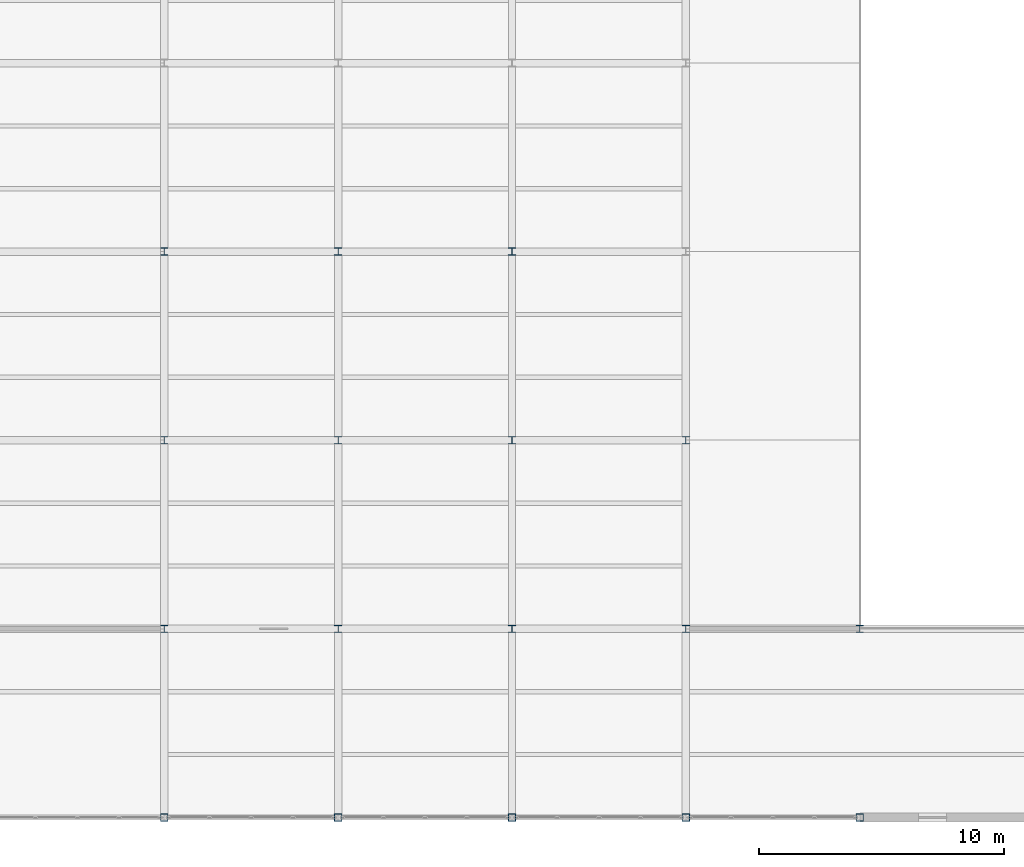
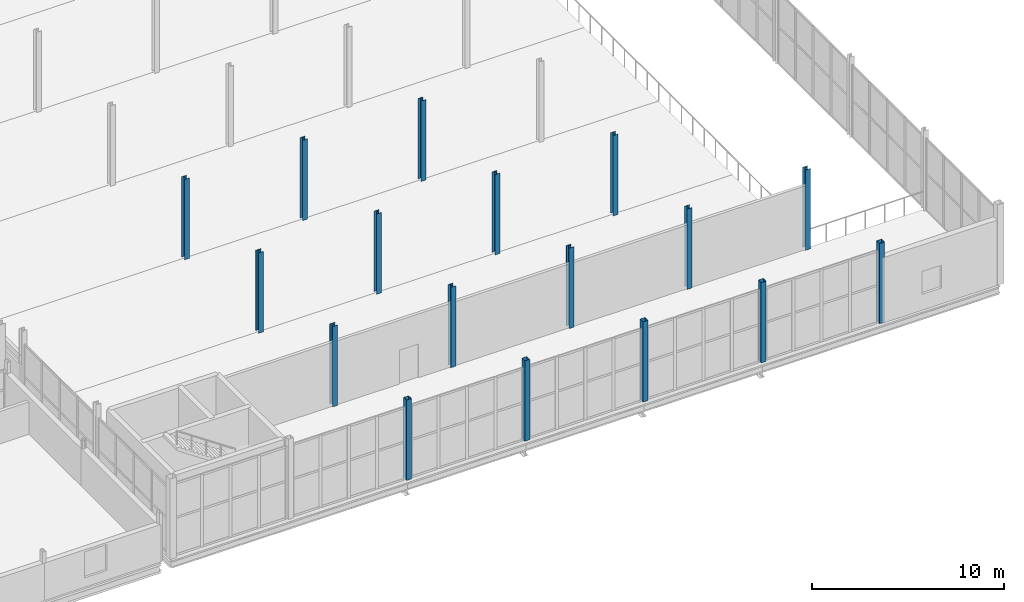
# One storey, part 19 of 218: 17 columns.
"""IFC4 building model written with IfcOpenShell, lengths in metres."""

import ifcopenshell
import ifcopenshell.guid

model = None  # the IFC model being written
_history = None  # IfcOwnerHistory: only IFC2X3 demands one
_inside = {}  # id of a spatial element -> (the spatial element, [elements in it])
_under = {}  # id of a project, library or spatial element -> (it, [spatial elements below it])
_declared = {}  # id of a project -> (the project, [libraries it declares])
_typed = {}  # id of a type object -> (the type object, [elements of that type])
_made_of = {}  # id of a material, layer set ... -> (it, [elements and type objects made of it])


def new_model(schema):
    """Start an empty IFC model of exactly this schema.

    Asked for "IFC4X3", IfcOpenShell would pick the latest addendum, in which some entities
    have other attributes; the version numbers below select the first issue.
    IFC2X3 requires an IfcOwnerHistory on every rooted entity: one is made here for all.
    """
    global model, _history
    if schema == "IFC4X3":
        model = ifcopenshell.file(schema_version=(4, 3, 0, 0))
    else:
        model = ifcopenshell.file(schema=schema)
    _inside.clear()
    _under.clear()
    _declared.clear()
    _typed.clear()
    _made_of.clear()
    _history = None
    if model.schema == "IFC2X3":
        org = make("IfcOrganization", Name="unknown")
        user = make(
            "IfcPersonAndOrganization",
            ThePerson=make("IfcPerson", FamilyName="unknown"),
            TheOrganization=org,
        )
        app = make(
            "IfcApplication",
            ApplicationDeveloper=org,
            Version="unknown",
            ApplicationFullName="unknown",
            ApplicationIdentifier="unknown",
        )
        _history = make(
            "IfcOwnerHistory",
            OwningUser=user,
            OwningApplication=app,
            ChangeAction="ADDED",
            CreationDate=0,
        )
    return model


def make(cls, **values):
    """One entity of the class cls with the attributes given. An attribute that is None is left unset."""
    return model.create_entity(
        cls, **{name: value for name, value in values.items() if value is not None}
    )


def rooted(cls, **values):
    """An entity with a GlobalId (a new one), such as an element, a storey or a relation."""
    return make(cls, GlobalId=ifcopenshell.guid.new(), OwnerHistory=_history, **values)


def si_unit(unit_type, name, prefix=None):
    """IfcSIUnit, for example si_unit("LENGTHUNIT", "METRE", prefix="MILLI")."""
    return make("IfcSIUnit", UnitType=unit_type, Prefix=prefix, Name=name)


def assignment(units):
    """IfcUnitAssignment: the units of a project."""
    return None if units is None else make("IfcUnitAssignment", Units=units)


def point(xyz):
    """IfcCartesianPoint."""
    return None if xyz is None else make("IfcCartesianPoint", Coordinates=xyz)


def direction(xyz):
    """IfcDirection."""
    return None if xyz is None else make("IfcDirection", DirectionRatios=xyz)


def frame(location, z_axis=None, x_axis=None):
    """IfcAxis2Placement3D, a coordinate frame: its origin and axes. An axis left out is left unset."""
    return make(
        "IfcAxis2Placement3D",
        Location=point(location),
        Axis=direction(z_axis),
        RefDirection=direction(x_axis),
    )


def frame_2d(location, x_axis=None):
    """IfcAxis2Placement2D, a coordinate frame in the plane: its origin and x axis."""
    return make(
        "IfcAxis2Placement2D", Location=point(location), RefDirection=direction(x_axis)
    )


def origin():
    """The frame at (0, 0, 0) with its axes left unset."""
    return frame((0.0, 0.0, 0.0))


def origin_2d():
    """The frame at (0, 0) in the plane with its x axis left unset."""
    return frame_2d((0.0, 0.0))


def place(relative_to, where):
    """IfcLocalPlacement: puts the frame where relative to a parent placement (None: the world)."""
    return make(
        "IfcLocalPlacement", PlacementRelTo=relative_to, RelativePlacement=where
    )


def context(
    kind, dimensions, precision=None, world=None, true_north=None, identifier=None
):
    """IfcGeometricRepresentationContext, for example the 3D "Model" context."""
    return make(
        "IfcGeometricRepresentationContext",
        ContextIdentifier=identifier,
        ContextType=kind,
        CoordinateSpaceDimension=dimensions,
        Precision=precision,
        WorldCoordinateSystem=world,
        TrueNorth=true_north,
    )


def subcontext(parent, identifier, kind, view, scale=None):
    """IfcGeometricRepresentationSubContext, for example "Body" below "Model"."""
    return make(
        "IfcGeometricRepresentationSubContext",
        ContextIdentifier=identifier,
        ContextType=kind,
        ParentContext=parent,
        TargetScale=scale,
        TargetView=view,
    )


def project(units=None, contexts=None):
    """IfcProject with its units and contexts."""
    return rooted(
        "IfcProject",
        Name="project",
        RepresentationContexts=contexts,
        UnitsInContext=assignment(units),
    )


def spatial(cls, under=None, at=None, **own):
    """A site, building, storey or space (cls), placed at a placement, below another one or the project."""
    s = rooted(cls, ObjectPlacement=at, **own)
    if under is not None:
        _under.setdefault(under.id(), (under, []))[1].append(s)
    return s


def profile(cls, at=None, kind="AREA", **sizes):
    """A parametric profile (cls). Its sizes go by their IFC names, for example OverallWidth=200.0."""
    return make(cls, ProfileType=kind, Position=at, **sizes)


def hollow_rectangle(**sizes):
    """IfcRectangleHollowProfileDef."""
    return profile("IfcRectangleHollowProfileDef", **sizes)


def i_section(**sizes):
    """IfcIShapeProfileDef."""
    return profile("IfcIShapeProfileDef", **sizes)


def extrude(swept, where, along, depth):
    """IfcExtrudedAreaSolid: the profile swept, set in the frame where, extruded along a direction by depth."""
    return make(
        "IfcExtrudedAreaSolid",
        SweptArea=swept,
        Position=where,
        ExtrudedDirection=direction(along),
        Depth=depth,
    )


def shape(context_of_items, identifier, shape_type, items):
    """IfcShapeRepresentation: the items that make up one representation, for example the "Body"."""
    return make(
        "IfcShapeRepresentation",
        ContextOfItems=context_of_items,
        RepresentationIdentifier=identifier,
        RepresentationType=shape_type,
        Items=items,
    )


def material(Name=None, Category=None):
    """IfcMaterial."""
    return make("IfcMaterial", Name=Name, Category=Category)


def material_profile(
    of_material, cross_section, Name=None, Category=None, Priority=None
):
    """IfcMaterialProfile: a cross section and its material."""
    return make(
        "IfcMaterialProfile",
        Name=Name,
        Material=of_material,
        Profile=cross_section,
        Priority=Priority,
        Category=Category,
    )


def profile_set(profiles, Name=None, composite=None):
    """IfcMaterialProfileSet."""
    return make(
        "IfcMaterialProfileSet",
        Name=Name,
        MaterialProfiles=profiles,
        CompositeProfile=composite,
    )


def made_of(thing, what):
    """Note that an element or type object is made of a material, layer set ...; save() writes the relation."""
    if what is not None:
        _made_of.setdefault(what.id(), (what, []))[1].append(thing)
    return thing


def type_object(cls, material=None, **own):
    """A type object (cls), such as IfcWallType, which elements share."""
    return made_of(rooted(cls, **own), material)


def element(
    cls,
    number,
    at=None,
    inside=None,
    cuts=None,
    type_object=None,
    material=None,
    context=None,
    identifier="Body",
    shape_type=None,
    held_by="IfcProductDefinitionShape",
    body=None,
    shapes=None,
    **own,
):
    """One element of the class cls, such as IfcWall. Its Tag is "e" and its number.

    at: its placement. inside: the storey or other place that contains it. cuts: it is an
    opening in that element (IfcRelVoidsElement). A single representation is given by context,
    identifier, shape_type and body (its items); several are given by shapes. held_by: the class
    of the entity that holds the representations. save() writes the other relations.
    """
    e = rooted(cls, Tag="e%d" % number, ObjectPlacement=at, **own)
    if body is not None:
        shapes = [shape(context, identifier, shape_type, body)]
    if shapes is not None:
        e.Representation = make(held_by, Representations=shapes)
    if inside is not None:
        _inside.setdefault(inside.id(), (inside, []))[1].append(e)
    if cuts is not None:
        rooted(
            "IfcRelVoidsElement", RelatingBuildingElement=cuts, RelatedOpeningElement=e
        )
    if type_object is not None:
        _typed.setdefault(type_object.id(), (type_object, []))[1].append(e)
    return made_of(e, material)


def aggregate(whole, parts):
    """IfcRelAggregates: a whole, such as a stair, and the parts it consists of."""
    return rooted("IfcRelAggregates", RelatingObject=whole, RelatedObjects=parts)


def save(model, path):
    """Write the relations noted so far, then the file.

    IfcRelAggregates (storeys below a building ...), IfcRelContainedInSpatialStructure (elements
    in a storey), IfcRelDefinesByType, IfcRelAssociatesMaterial and IfcRelDeclares: one each for
    every whole, place, type object, material and project.
    """
    for whole, parts in _under.values():
        aggregate(whole, parts)
    for where, things in _inside.values():
        rooted(
            "IfcRelContainedInSpatialStructure",
            RelatedElements=things,
            RelatingStructure=where,
        )
    for kind, things in _typed.values():
        rooted("IfcRelDefinesByType", RelatedObjects=things, RelatingType=kind)
    for what, things in _made_of.values():
        rooted("IfcRelAssociatesMaterial", RelatedObjects=things, RelatingMaterial=what)
    for by, libraries in _declared.values():
        rooted("IfcRelDeclares", RelatingContext=by, RelatedDefinitions=libraries)
    model.write(path)


model = new_model("IFC4")

# Units and contexts
model_context = context("Model", 3, precision=1e-05, world=origin(), true_north=direction((0.0, 1.0)))
body_context = subcontext(model_context, "Body", "Model", "MODEL_VIEW")
ifc_project = project(units=[si_unit("LENGTHUNIT", "METRE"), si_unit("AREAUNIT", "SQUARE_METRE"), si_unit("VOLUMEUNIT", "CUBIC_METRE"), si_unit("PLANEANGLEUNIT", "RADIAN"), si_unit("MASSUNIT", "GRAM", prefix="KILO")], contexts=[model_context])

# Site, building, storey
site_placement = place(None, origin())
site = spatial("IfcSite", under=ifc_project, at=site_placement, CompositionType="ELEMENT")
building_placement = place(site_placement, origin())
building = spatial("IfcBuilding", under=site, at=building_placement, Name="Kazenagashi Tramway Depot", CompositionType="ELEMENT")
storey_placement = place(building_placement, frame((0.0, 0.0, 6.0)))
storey = spatial("IfcBuildingStorey", under=building, at=storey_placement, Name="L02", CompositionType="ELEMENT", Elevation=6.0)

# Columns
ifc_material_1 = material(Name="Steel SN490B", Category="steel")
ifc_material_profile_1 = material_profile(ifc_material_1, i_section(OverallWidth=0.3, OverallDepth=0.3, WebThickness=0.01, FlangeThickness=0.015, at=origin_2d()), Name="H-300x300x10x15")
ifc_profile_set_1 = profile_set([ifc_material_profile_1], Name="Steel SN490B")
column_type_1 = type_object("IfcColumnType", Name="C-05", PredefinedType="COLUMN", material=ifc_profile_set_1)
for number, where, z_axis, x_axis, name in (
    (1, (160.5, 7.7, 0.0), (0.0, 0.0, 1.0), (1.0, 0.0, 0.0), "Column C-05 COL-0397"),
    (2, (160.5, 15.4, 0.0), (0.0, 0.0, 1.0), (1.0, 0.0, 0.0), "Column C-05 COL-0399"),
    (3, (160.5, 23.1, 0.0), (0.0, 0.0, 1.0), (1.0, 0.0, 0.0), "Column C-05 COL-0401"),
    (4, (167.6, 7.7, 0.0), (0.0, 0.0, 1.0), (1.0, 0.0, 0.0), "Column C-05 COL-0422"),
    (5, (167.6, 15.4, 0.0), (0.0, 0.0, 1.0), (1.0, 0.0, 0.0), "Column C-05 COL-0424"),
    (6, (167.6, 23.1, 0.0), (0.0, 0.0, 1.0), (1.0, 0.0, 0.0), "Column C-05 COL-0426"),
    (7, (174.7, 7.7, 0.0), (0.0, 0.0, 1.0), (1.0, 0.0, 0.0), "Column C-05 COL-0447"),
    (8, (174.7, 15.4, 0.0), (0.0, 0.0, 1.0), (1.0, 0.0, 0.0), "Column C-05 COL-0449"),
    (9, (174.7, 23.1, 0.0), (0.0, 0.0, 1.0), (1.0, 0.0, 0.0), "Column C-05 COL-0451"),
    (10, (181.8, 7.7, 0.0), (0.0, 0.0, 1.0), (1.0, 0.0, 0.0), "Column C-05 COL-0472"),
    (11, (181.8, 15.4, 0.0), (0.0, 0.0, 1.0), (1.0, 0.0, 0.0), "Column C-05 COL-0474"),
    (12, (188.9, 7.7, 0.0), (0.0, 0.0, 1.0), (1.0, 0.0, 0.0), "Column C-05 COL-0497"),
):
    element("IfcColumn", number, at=place(storey_placement, frame(where, z_axis=z_axis, x_axis=x_axis)), inside=storey, type_object=column_type_1, Name=name, PredefinedType="COLUMN", context=body_context, shape_type="SweptSolid", body=[
        extrude(i_section(OverallWidth=0.3, OverallDepth=0.3, WebThickness=0.01, FlangeThickness=0.015, at=origin_2d()), origin(), (0.0, 0.0, 1.0), 5.1),
    ])
ifc_material_2 = material(Name="Steel STKR490", Category="steel")
ifc_material_profile_2 = material_profile(ifc_material_2, hollow_rectangle(XDim=0.3, YDim=0.3, WallThickness=0.012, at=origin_2d()), Name="SHS-300x300x12")
ifc_profile_set_2 = profile_set([ifc_material_profile_2], Name="Steel STKR490")
column_type_2 = type_object("IfcColumnType", Name="C-17", PredefinedType="COLUMN", material=ifc_profile_set_2)
for number, where, z_axis, x_axis, name in (
    (13, (160.5, 0.0, 0.0), (0.0, 0.0, 1.0), (1.0, 0.0, 0.0), "Column C-17 COL-0395"),
    (14, (167.6, 0.0, 0.0), (0.0, 0.0, 1.0), (1.0, 0.0, 0.0), "Column C-17 COL-0420"),
    (15, (174.7, 0.0, 0.0), (0.0, 0.0, 1.0), (1.0, 0.0, 0.0), "Column C-17 COL-0445"),
    (16, (181.8, 0.0, 0.0), (0.0, 0.0, 1.0), (1.0, 0.0, 0.0), "Column C-17 COL-0470"),
    (17, (188.9, 0.0, 0.0), (0.0, 0.0, 1.0), (1.0, 0.0, 0.0), "Column C-17 COL-0495"),
):
    element("IfcColumn", number, at=place(storey_placement, frame(where, z_axis=z_axis, x_axis=x_axis)), inside=storey, type_object=column_type_2, Name=name, PredefinedType="COLUMN", context=body_context, shape_type="SweptSolid", body=[
        extrude(hollow_rectangle(XDim=0.3, YDim=0.3, WallThickness=0.012, at=origin_2d()), origin(), (0.0, 0.0, 1.0), 5.1),
    ])

save(model, "model.ifc")
